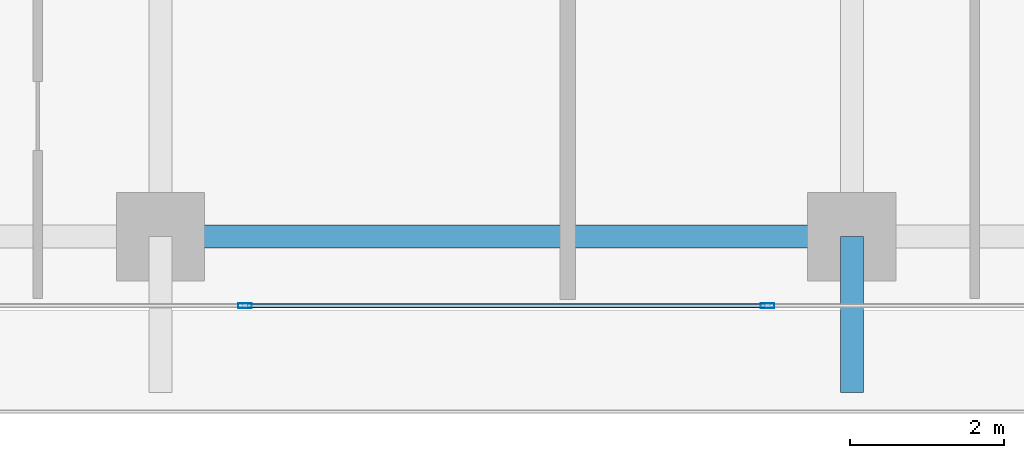
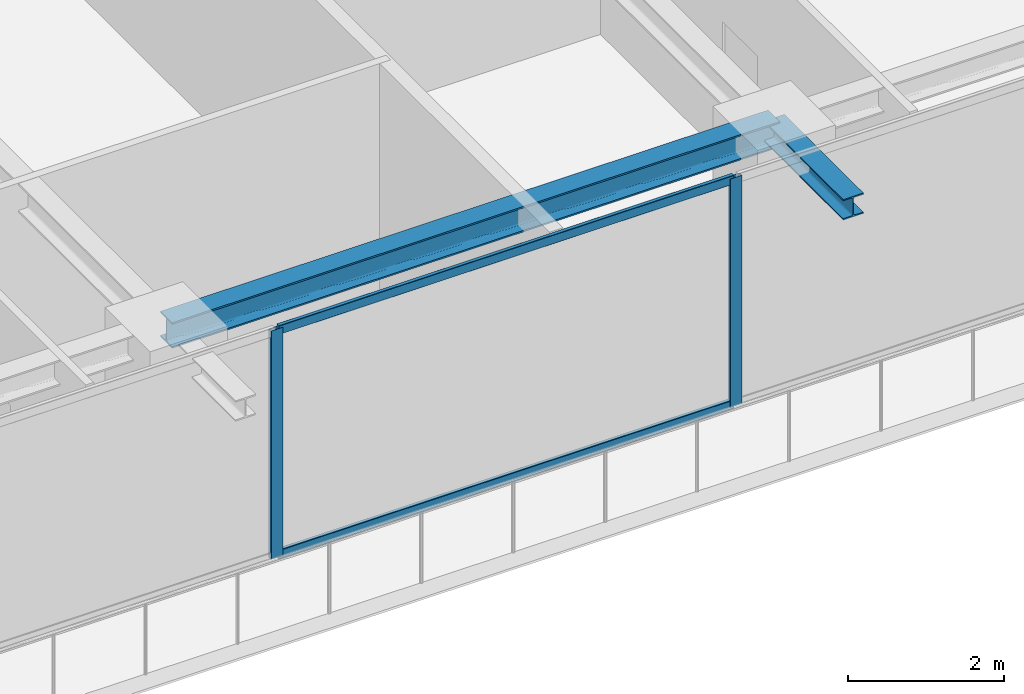
# One storey, part 5 of 37: 4 members, 2 beams, 1 element without a shape of its own.
"""IFC4 building model written with IfcOpenShell, lengths in metres."""

import ifcopenshell
import ifcopenshell.guid

model = None  # the IFC model being written
_history = None  # IfcOwnerHistory: only IFC2X3 demands one
_inside = {}  # id of a spatial element -> (the spatial element, [elements in it])
_under = {}  # id of a project, library or spatial element -> (it, [spatial elements below it])
_declared = {}  # id of a project -> (the project, [libraries it declares])
_typed = {}  # id of a type object -> (the type object, [elements of that type])
_made_of = {}  # id of a material, layer set ... -> (it, [elements and type objects made of it])


def new_model(schema):
    """Start an empty IFC model of exactly this schema.

    Asked for "IFC4X3", IfcOpenShell would pick the latest addendum, in which some entities
    have other attributes; the version numbers below select the first issue.
    IFC2X3 requires an IfcOwnerHistory on every rooted entity: one is made here for all.
    """
    global model, _history
    if schema == "IFC4X3":
        model = ifcopenshell.file(schema_version=(4, 3, 0, 0))
    else:
        model = ifcopenshell.file(schema=schema)
    _inside.clear()
    _under.clear()
    _declared.clear()
    _typed.clear()
    _made_of.clear()
    _history = None
    if model.schema == "IFC2X3":
        org = make("IfcOrganization", Name="unknown")
        user = make(
            "IfcPersonAndOrganization",
            ThePerson=make("IfcPerson", FamilyName="unknown"),
            TheOrganization=org,
        )
        app = make(
            "IfcApplication",
            ApplicationDeveloper=org,
            Version="unknown",
            ApplicationFullName="unknown",
            ApplicationIdentifier="unknown",
        )
        _history = make(
            "IfcOwnerHistory",
            OwningUser=user,
            OwningApplication=app,
            ChangeAction="ADDED",
            CreationDate=0,
        )
    return model


def make(cls, **values):
    """One entity of the class cls with the attributes given. An attribute that is None is left unset."""
    return model.create_entity(
        cls, **{name: value for name, value in values.items() if value is not None}
    )


def rooted(cls, **values):
    """An entity with a GlobalId (a new one), such as an element, a storey or a relation."""
    return make(cls, GlobalId=ifcopenshell.guid.new(), OwnerHistory=_history, **values)


def si_unit(unit_type, name, prefix=None):
    """IfcSIUnit, for example si_unit("LENGTHUNIT", "METRE", prefix="MILLI")."""
    return make("IfcSIUnit", UnitType=unit_type, Prefix=prefix, Name=name)


def assignment(units):
    """IfcUnitAssignment: the units of a project."""
    return None if units is None else make("IfcUnitAssignment", Units=units)


def point(xyz):
    """IfcCartesianPoint."""
    return None if xyz is None else make("IfcCartesianPoint", Coordinates=xyz)


def direction(xyz):
    """IfcDirection."""
    return None if xyz is None else make("IfcDirection", DirectionRatios=xyz)


def frame(location, z_axis=None, x_axis=None):
    """IfcAxis2Placement3D, a coordinate frame: its origin and axes. An axis left out is left unset."""
    return make(
        "IfcAxis2Placement3D",
        Location=point(location),
        Axis=direction(z_axis),
        RefDirection=direction(x_axis),
    )


def frame_2d(location, x_axis=None):
    """IfcAxis2Placement2D, a coordinate frame in the plane: its origin and x axis."""
    return make(
        "IfcAxis2Placement2D", Location=point(location), RefDirection=direction(x_axis)
    )


def origin():
    """The frame at (0, 0, 0) with its axes left unset."""
    return frame((0.0, 0.0, 0.0))


def origin_2d():
    """The frame at (0, 0) in the plane with its x axis left unset."""
    return frame_2d((0.0, 0.0))


def place(relative_to, where):
    """IfcLocalPlacement: puts the frame where relative to a parent placement (None: the world)."""
    return make(
        "IfcLocalPlacement", PlacementRelTo=relative_to, RelativePlacement=where
    )


def context(
    kind, dimensions, precision=None, world=None, true_north=None, identifier=None
):
    """IfcGeometricRepresentationContext, for example the 3D "Model" context."""
    return make(
        "IfcGeometricRepresentationContext",
        ContextIdentifier=identifier,
        ContextType=kind,
        CoordinateSpaceDimension=dimensions,
        Precision=precision,
        WorldCoordinateSystem=world,
        TrueNorth=true_north,
    )


def subcontext(parent, identifier, kind, view, scale=None):
    """IfcGeometricRepresentationSubContext, for example "Body" below "Model"."""
    return make(
        "IfcGeometricRepresentationSubContext",
        ContextIdentifier=identifier,
        ContextType=kind,
        ParentContext=parent,
        TargetScale=scale,
        TargetView=view,
    )


def project(units=None, contexts=None):
    """IfcProject with its units and contexts."""
    return rooted(
        "IfcProject",
        Name="project",
        RepresentationContexts=contexts,
        UnitsInContext=assignment(units),
    )


def spatial(cls, under=None, at=None, **own):
    """A site, building, storey or space (cls), placed at a placement, below another one or the project."""
    s = rooted(cls, ObjectPlacement=at, **own)
    if under is not None:
        _under.setdefault(under.id(), (under, []))[1].append(s)
    return s


def profile(cls, at=None, kind="AREA", **sizes):
    """A parametric profile (cls). Its sizes go by their IFC names, for example OverallWidth=200.0."""
    return make(cls, ProfileType=kind, Position=at, **sizes)


def hollow_rectangle(**sizes):
    """IfcRectangleHollowProfileDef."""
    return profile("IfcRectangleHollowProfileDef", **sizes)


def i_section(**sizes):
    """IfcIShapeProfileDef."""
    return profile("IfcIShapeProfileDef", **sizes)


def extrude(swept, where, along, depth):
    """IfcExtrudedAreaSolid: the profile swept, set in the frame where, extruded along a direction by depth."""
    return make(
        "IfcExtrudedAreaSolid",
        SweptArea=swept,
        Position=where,
        ExtrudedDirection=direction(along),
        Depth=depth,
    )


def shape(context_of_items, identifier, shape_type, items):
    """IfcShapeRepresentation: the items that make up one representation, for example the "Body"."""
    return make(
        "IfcShapeRepresentation",
        ContextOfItems=context_of_items,
        RepresentationIdentifier=identifier,
        RepresentationType=shape_type,
        Items=items,
    )


def source(mapping_origin, context_of_items, identifier, shape_type, items):
    """IfcRepresentationMap: a shape defined once, which mapped items show again and again."""
    return make(
        "IfcRepresentationMap",
        MappingOrigin=mapping_origin,
        MappedRepresentation=shape(context_of_items, identifier, shape_type, items),
    )


def transform(
    local_origin,
    x_axis=None,
    y_axis=None,
    z_axis=None,
    scale=None,
    scale2=None,
    scale3=None,
    uniform=True,
):
    """IfcCartesianTransformationOperator3D, or its non-uniform kind. x_axis, y_axis, z_axis: its Axis1, 2, 3."""
    if uniform:
        return make(
            "IfcCartesianTransformationOperator3D",
            Axis1=direction(x_axis),
            Axis2=direction(y_axis),
            LocalOrigin=point(local_origin),
            Scale=scale,
            Axis3=direction(z_axis),
        )
    return make(
        "IfcCartesianTransformationOperator3DnonUniform",
        Axis1=direction(x_axis),
        Axis2=direction(y_axis),
        LocalOrigin=point(local_origin),
        Scale=scale,
        Axis3=direction(z_axis),
        Scale2=scale2,
        Scale3=scale3,
    )


def mapped(mapping_source, mapping_target):
    """IfcMappedItem: shows the shape of a source again, moved by a transform."""
    return make(
        "IfcMappedItem", MappingSource=mapping_source, MappingTarget=mapping_target
    )


def material(Name=None, Category=None):
    """IfcMaterial."""
    return make("IfcMaterial", Name=Name, Category=Category)


def layer(
    of_material, thickness, ventilated=None, Name=None, Category=None, Priority=None
):
    """IfcMaterialLayer: one layer of a wall or slab, of a material (None: an air gap)."""
    return make(
        "IfcMaterialLayer",
        Material=of_material,
        LayerThickness=thickness,
        IsVentilated=ventilated,
        Name=Name,
        Category=Category,
        Priority=Priority,
    )


def layer_set(layers, Name=None):
    """IfcMaterialLayerSet."""
    return make("IfcMaterialLayerSet", MaterialLayers=layers, LayerSetName=Name)


def material_profile(
    of_material, cross_section, Name=None, Category=None, Priority=None
):
    """IfcMaterialProfile: a cross section and its material."""
    return make(
        "IfcMaterialProfile",
        Name=Name,
        Material=of_material,
        Profile=cross_section,
        Priority=Priority,
        Category=Category,
    )


def profile_set(profiles, Name=None, composite=None):
    """IfcMaterialProfileSet."""
    return make(
        "IfcMaterialProfileSet",
        Name=Name,
        MaterialProfiles=profiles,
        CompositeProfile=composite,
    )


def made_of(thing, what):
    """Note that an element or type object is made of a material, layer set ...; save() writes the relation."""
    if what is not None:
        _made_of.setdefault(what.id(), (what, []))[1].append(thing)
    return thing


def type_object(cls, material=None, **own):
    """A type object (cls), such as IfcWallType, which elements share."""
    return made_of(rooted(cls, **own), material)


def element(
    cls,
    number,
    at=None,
    inside=None,
    cuts=None,
    type_object=None,
    material=None,
    context=None,
    identifier="Body",
    shape_type=None,
    held_by="IfcProductDefinitionShape",
    body=None,
    shapes=None,
    **own,
):
    """One element of the class cls, such as IfcWall. Its Tag is "e" and its number.

    at: its placement. inside: the storey or other place that contains it. cuts: it is an
    opening in that element (IfcRelVoidsElement). A single representation is given by context,
    identifier, shape_type and body (its items); several are given by shapes. held_by: the class
    of the entity that holds the representations. save() writes the other relations.
    """
    e = rooted(cls, Tag="e%d" % number, ObjectPlacement=at, **own)
    if body is not None:
        shapes = [shape(context, identifier, shape_type, body)]
    if shapes is not None:
        e.Representation = make(held_by, Representations=shapes)
    if inside is not None:
        _inside.setdefault(inside.id(), (inside, []))[1].append(e)
    if cuts is not None:
        rooted(
            "IfcRelVoidsElement", RelatingBuildingElement=cuts, RelatedOpeningElement=e
        )
    if type_object is not None:
        _typed.setdefault(type_object.id(), (type_object, []))[1].append(e)
    return made_of(e, material)


def aggregate(whole, parts):
    """IfcRelAggregates: a whole, such as a stair, and the parts it consists of."""
    return rooted("IfcRelAggregates", RelatingObject=whole, RelatedObjects=parts)


def save(model, path):
    """Write the relations noted so far, then the file.

    IfcRelAggregates (storeys below a building ...), IfcRelContainedInSpatialStructure (elements
    in a storey), IfcRelDefinesByType, IfcRelAssociatesMaterial and IfcRelDeclares: one each for
    every whole, place, type object, material and project.
    """
    for whole, parts in _under.values():
        aggregate(whole, parts)
    for where, things in _inside.values():
        rooted(
            "IfcRelContainedInSpatialStructure",
            RelatedElements=things,
            RelatingStructure=where,
        )
    for kind, things in _typed.values():
        rooted("IfcRelDefinesByType", RelatedObjects=things, RelatingType=kind)
    for what, things in _made_of.values():
        rooted("IfcRelAssociatesMaterial", RelatedObjects=things, RelatingMaterial=what)
    for by, libraries in _declared.values():
        rooted("IfcRelDeclares", RelatingContext=by, RelatedDefinitions=libraries)
    model.write(path)


model = new_model("IFC4")

# Units and contexts
model_context = context("Model", 3, precision=1e-05, world=origin(), true_north=direction((0.0, 1.0)))
body_context = subcontext(model_context, "Body", "Model", "MODEL_VIEW")
ifc_project = project(units=[si_unit("LENGTHUNIT", "METRE"), si_unit("AREAUNIT", "SQUARE_METRE"), si_unit("VOLUMEUNIT", "CUBIC_METRE"), si_unit("PLANEANGLEUNIT", "RADIAN"), si_unit("MASSUNIT", "GRAM", prefix="KILO")], contexts=[model_context])

# Site, building, storey
site_placement = place(None, origin())
site = spatial("IfcSite", under=ifc_project, at=site_placement, CompositionType="ELEMENT")
building_placement = place(site_placement, origin())
building = spatial("IfcBuilding", under=site, at=building_placement, Name="Serunith Strait Residences", CompositionType="ELEMENT")
storey_placement = place(building_placement, frame((0.0, 0.0, 279.75)))
storey = spatial("IfcBuildingStorey", under=building, at=storey_placement, Name="L70", CompositionType="ELEMENT", Elevation=279.75)

# Beams
ifc_material_1 = material(Name="Steel S355J2", Category="steel")
ifc_material_profile_1 = material_profile(ifc_material_1, i_section(OverallWidth=0.300048828125, OverallDepth=0.39990234375, WebThickness=0.013427734375, FlangeThickness=0.02392578125, FilletRadius=0.027099609375, at=origin_2d()), Name="HEB 400")
ifc_profile_set_1 = profile_set([ifc_material_profile_1], Name="Steel S355J2")
beam_type_1 = type_object("IfcBeamType", Name="BM-HEB400", PredefinedType="BEAM", material=ifc_profile_set_1)
shared_shape_1 = source(origin(), body_context, "Body", "SweptSolid", [
    extrude(i_section(OverallWidth=0.300048828125, OverallDepth=0.39990234375, WebThickness=0.013427734375, FlangeThickness=0.02392578125, FilletRadius=0.027099609375, at=origin_2d()), origin(), (0.0, 0.0, 1.0), 9.0),
])
beam_1_placement = place(storey_placement, frame((27.89990234375, 2.10009765625, 3.386962890625), z_axis=(1.0, 0.0, 0.0), x_axis=(0.0, 1.0, 0.0)))
element("IfcBeam", 1, at=beam_1_placement, inside=storey, type_object=beam_type_1, Name="L70 Perimeter Ring Beam 02", PredefinedType="BEAM", context=body_context, shape_type="MappedRepresentation", body=[
    mapped(shared_shape_1, transform((0.0, 0.0, 0.0), scale=1.0)),
])
ifc_material_profile_2 = material_profile(ifc_material_1, i_section(OverallWidth=0.300048828125, OverallDepth=0.320068359375, WebThickness=0.011474609375, FlangeThickness=0.0205078125, FilletRadius=0.027099609375, at=origin_2d()), Name="HEB 320")
ifc_profile_set_2 = profile_set([ifc_material_profile_2], Name="Steel S355J2")
beam_type_2 = type_object("IfcBeamType", Name="BM-HEB320", PredefinedType="BEAM", material=ifc_profile_set_2)
shared_shape_2 = source(origin(), body_context, "Body", "SweptSolid", [
    extrude(i_section(OverallWidth=0.300048828125, OverallDepth=0.320068359375, WebThickness=0.011474609375, FlangeThickness=0.0205078125, FilletRadius=0.027099609375, at=origin_2d()), origin(), (0.0, 0.0, 1.0), 2.030029296875),
])
beam_2_placement = place(storey_placement, frame((36.89990234375, 2.10009765625, 3.39697265625), z_axis=(0.0, -1.0, 0.0), x_axis=(1.0, 0.0, 0.0)))
element("IfcBeam", 2, at=beam_2_placement, inside=storey, type_object=beam_type_2, Name="L71 Cantilevered Balcony Rib TC-S3", PredefinedType="BEAM", context=body_context, shape_type="MappedRepresentation", body=[
    mapped(shared_shape_2, transform((0.0, 0.0, 0.0), scale=1.0)),
])

# Curtain wall, members
ifc_material_2 = material(Name="Pale-Champagne Anodised Aluminium", Category="aluminium")
ifc_layer = layer(ifc_material_2, 0.199951171875, Name="Pale-Champagne Anodised Aluminium")
ifc_layer_set = layer_set([ifc_layer], Name="Pale-Champagne Anodised Aluminium")
curtain_wall_type = type_object("IfcCurtainWallType", Name="CW-SYS4", PredefinedType="NOTDEFINED", material=ifc_layer_set)
curtain_wall_placement = place(storey_placement, origin())
curtain_wall = element("IfcCurtainWall", 3, at=curtain_wall_placement, inside=storey, type_object=curtain_wall_type, Name="L70 S Unitised Fritted Curtain Wall", PredefinedType="NOTDEFINED")
ifc_material_profile_3 = material_profile(ifc_material_2, hollow_rectangle(XDim=0.06494140625, YDim=0.179931640625, WallThickness=0.00341796875, InnerFilletRadius=0.00537109375, OuterFilletRadius=0.0087890625, at=origin_2d()), Name="ALU 180x65x3.5")
ifc_profile_set_3 = profile_set([ifc_material_profile_3], Name="Pale-Champagne Anodised Aluminium")
member_type_1 = type_object("IfcMemberType", Name="CW-SYS4-MULL", PredefinedType="MULLION", material=ifc_profile_set_3)
shared_shape_3 = source(origin(), body_context, "Body", "SweptSolid", [
    extrude(hollow_rectangle(XDim=0.06494140625, YDim=0.179931640625, WallThickness=0.00341796875, InnerFilletRadius=0.00537109375, OuterFilletRadius=0.0087890625, at=origin_2d()), origin(), (0.0, 0.0, 1.0), 3.574951171875),
])
member_1_placement = place(storey_placement, frame((29.0, 1.199951171875, 0.0), z_axis=(0.0, 0.0, 1.0), x_axis=(0.0, 1.0, 0.0)))
member_1 = element("IfcMember", 4, at=member_1_placement, type_object=member_type_1, Name="CW-4 mullion 3", PredefinedType="MULLION", context=body_context, shape_type="MappedRepresentation", body=[
    mapped(shared_shape_3, transform((0.0, 0.0, 0.0), scale=1.0)),
])
member_2_placement = place(storey_placement, frame((35.800048828125, 1.199951171875, 0.0), z_axis=(0.0, 0.0, 1.0), x_axis=(0.0, 1.0, 0.0)))
member_2 = element("IfcMember", 5, at=member_2_placement, type_object=member_type_1, Name="CW-4 mullion 4", PredefinedType="MULLION", context=body_context, shape_type="MappedRepresentation", body=[
    mapped(shared_shape_3, transform((0.0, 0.0, 0.0), scale=1.0)),
])
ifc_material_profile_4 = material_profile(ifc_material_2, hollow_rectangle(XDim=0.06005859375, YDim=0.139892578125, WallThickness=0.00341796875, InnerFilletRadius=0.00537109375, OuterFilletRadius=0.0087890625, at=origin_2d()), Name="ALU 140x60x3.5")
ifc_profile_set_4 = profile_set([ifc_material_profile_4], Name="Pale-Champagne Anodised Aluminium")
member_type_2 = type_object("IfcMemberType", Name="CW-SYS4-TRAN", PredefinedType="USERDEFINED", material=ifc_profile_set_4)
shared_shape_4 = source(origin(), body_context, "Body", "SweptSolid", [
    extrude(hollow_rectangle(XDim=0.06005859375, YDim=0.139892578125, WallThickness=0.00341796875, InnerFilletRadius=0.00537109375, OuterFilletRadius=0.0087890625, at=origin_2d()), origin(), (0.0, 0.0, 1.0), 6.735107421875),
])
member_3_placement = place(storey_placement, frame((29.032470703125, 1.199951171875, 0.030029296875), z_axis=(1.0, 0.0, 0.0), x_axis=(0.0, 1.0, 0.0)))
member_3 = element("IfcMember", 6, at=member_3_placement, type_object=member_type_2, Name="CW-4 transom 3.1", ObjectType="TRANSOM", PredefinedType="USERDEFINED", context=body_context, shape_type="MappedRepresentation", body=[
    mapped(shared_shape_4, transform((0.0, 0.0, 0.0), scale=1.0)),
])
member_4_placement = place(storey_placement, frame((29.032470703125, 1.199951171875, 3.544921875), z_axis=(1.0, 0.0, 0.0), x_axis=(0.0, 1.0, 0.0)))
member_4 = element("IfcMember", 7, at=member_4_placement, type_object=member_type_2, Name="CW-4 transom 3.2", ObjectType="TRANSOM", PredefinedType="USERDEFINED", context=body_context, shape_type="MappedRepresentation", body=[
    mapped(shared_shape_4, transform((0.0, 0.0, 0.0), scale=1.0)),
])
aggregate(curtain_wall, [member_1, member_2, member_3, member_4])

save(model, "model.ifc")
